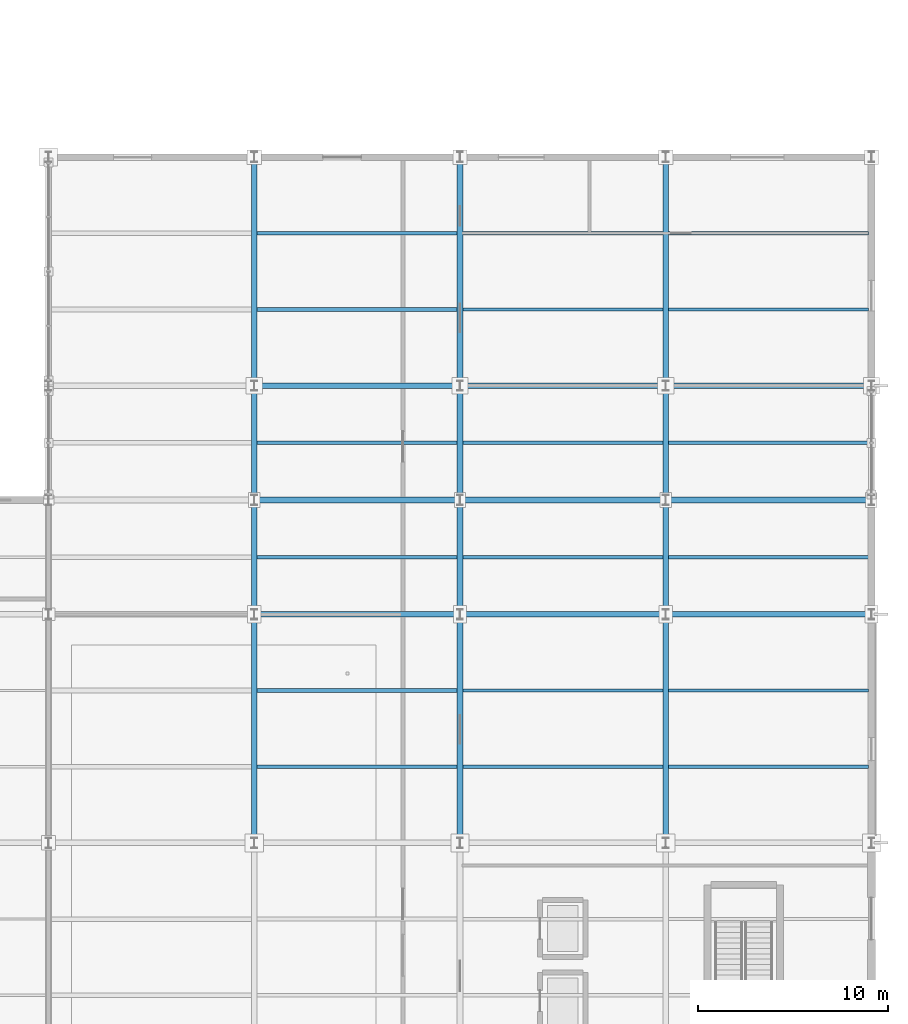
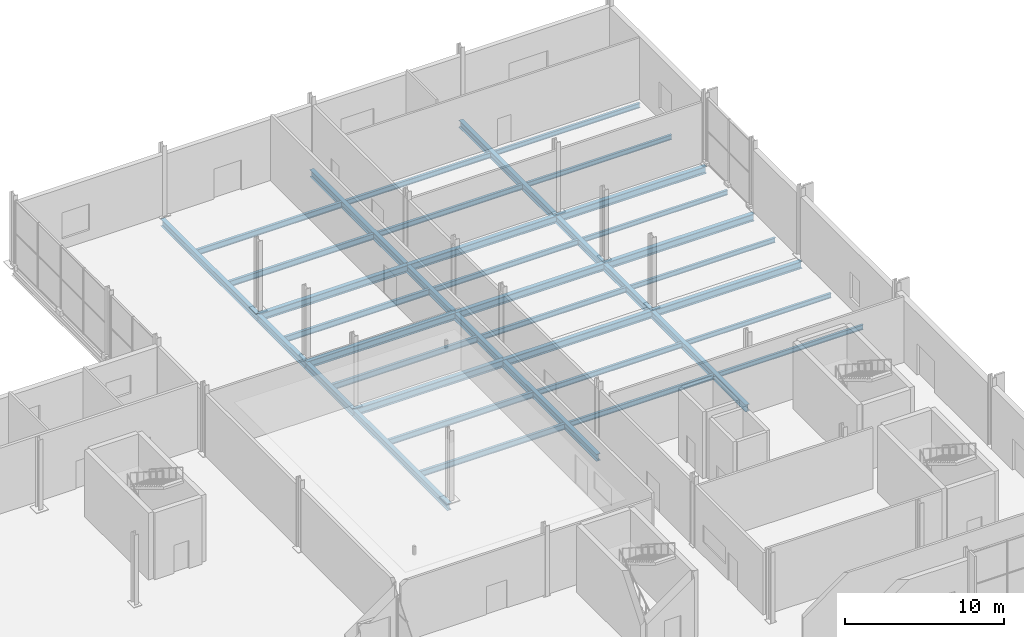
# One storey, part 140 of 196: 39 beams.
"""IFC4 building model written with IfcOpenShell, lengths in metres."""

from ifc_helpers import new_model, si_unit, direction, frame, origin, origin_2d, place, context, subcontext, project, spatial, i_section, extrude, material, material_profile, profile_set, type_object, element, save


model = new_model("IFC4")

# Units and contexts
model_context = context("Model", 3, precision=1e-05, world=origin(), true_north=direction((0.0, 1.0)))
body_context = subcontext(model_context, "Body", "Model", "MODEL_VIEW")
ifc_project = project(units=[si_unit("LENGTHUNIT", "METRE"), si_unit("AREAUNIT", "SQUARE_METRE"), si_unit("VOLUMEUNIT", "CUBIC_METRE"), si_unit("PLANEANGLEUNIT", "RADIAN"), si_unit("MASSUNIT", "GRAM", prefix="KILO")], contexts=[model_context])

# Site, building, storey
site_placement = place(None, origin())
site = spatial("IfcSite", under=ifc_project, at=site_placement, CompositionType="ELEMENT")
building_placement = place(site_placement, origin())
building = spatial("IfcBuilding", under=site, at=building_placement, Name="Merenkruunu Market Hall", CompositionType="ELEMENT")
storey_placement = place(building_placement, origin())
storey = spatial("IfcBuildingStorey", under=building, at=storey_placement, Name="L00", CompositionType="ELEMENT", Elevation=0.0)

# Beams
ifc_material = material(Name="Steel S355J2", Category="steel")
ifc_material_profile_1 = material_profile(ifc_material, i_section(OverallWidth=0.300048828125, OverallDepth=0.550048828125, WebThickness=0.014892578125, FlangeThickness=0.029052734375, FilletRadius=0.027099609375, at=origin_2d()), Name="HEB 550")
ifc_profile_set_1 = profile_set([ifc_material_profile_1], Name="Steel S355J2")
beam_type_1 = type_object("IfcBeamType", Name="Primary Floor Girder B02", PredefinedType="BEAM", material=ifc_profile_set_1)
beam_1_placement = place(storey_placement, frame((159.60009765625, 39.60009765625, -0.574951171875), z_axis=(1.0, 0.0, 0.0), x_axis=(0.0, 1.0, 0.0)))
element("IfcBeam", 1, at=beam_1_placement, inside=storey, type_object=beam_type_1, Name="BM-L00-B02-0060", PredefinedType="BEAM", context=body_context, shape_type="SweptSolid", body=[
    extrude(i_section(OverallWidth=0.300048828125, OverallDepth=0.550048828125, WebThickness=0.014892578125, FlangeThickness=0.029052734375, FilletRadius=0.027099609375, at=origin_2d()), origin(), (0.0, 0.0, 1.0), 10.7998046875),
])
for number, where, z_axis, x_axis, name in (
    (2, (170.39990234375, 39.60009765625, -0.574951171875), (1.0, 0.0, 0.0), (0.0, 1.0, 0.0), "BM-L00-B02-0061"),
    (3, (181.199951171875, 39.60009765625, -0.574951171875), (1.0, 0.0, 0.0), (0.0, 1.0, 0.0), "BM-L00-B02-0062"),
):
    element("IfcBeam", number, at=place(storey_placement, frame(where, z_axis=z_axis, x_axis=x_axis)), inside=storey, type_object=beam_type_1, Name=name, PredefinedType="BEAM", context=body_context, shape_type="SweptSolid", body=[
        extrude(i_section(OverallWidth=0.300048828125, OverallDepth=0.550048828125, WebThickness=0.014892578125, FlangeThickness=0.029052734375, FilletRadius=0.027099609375, at=origin_2d()), origin(), (0.0, 0.0, 1.0), 10.800048828125),
    ])
beam_2_placement = place(storey_placement, frame((159.60009765625, 45.60009765625, -0.574951171875), z_axis=(1.0, 0.0, 0.0), x_axis=(0.0, 1.0, 0.0)))
element("IfcBeam", 4, at=beam_2_placement, inside=storey, type_object=beam_type_1, Name="BM-L00-B02-0078", PredefinedType="BEAM", context=body_context, shape_type="SweptSolid", body=[
    extrude(i_section(OverallWidth=0.300048828125, OverallDepth=0.550048828125, WebThickness=0.014892578125, FlangeThickness=0.029052734375, FilletRadius=0.027099609375, at=origin_2d()), origin(), (0.0, 0.0, 1.0), 10.7998046875),
])
for number, where, z_axis, x_axis, name in (
    (5, (170.39990234375, 45.60009765625, -0.574951171875), (1.0, 0.0, 0.0), (0.0, 1.0, 0.0), "BM-L00-B02-0079"),
    (6, (181.199951171875, 45.60009765625, -0.574951171875), (1.0, 0.0, 0.0), (0.0, 1.0, 0.0), "BM-L00-B02-0080"),
):
    element("IfcBeam", number, at=place(storey_placement, frame(where, z_axis=z_axis, x_axis=x_axis)), inside=storey, type_object=beam_type_1, Name=name, PredefinedType="BEAM", context=body_context, shape_type="SweptSolid", body=[
        extrude(i_section(OverallWidth=0.300048828125, OverallDepth=0.550048828125, WebThickness=0.014892578125, FlangeThickness=0.029052734375, FilletRadius=0.027099609375, at=origin_2d()), origin(), (0.0, 0.0, 1.0), 10.800048828125),
    ])
beam_3_placement = place(storey_placement, frame((159.60009765625, 51.60009765625, -0.574951171875), z_axis=(1.0, 0.0, 0.0), x_axis=(0.0, 1.0, 0.0)))
element("IfcBeam", 7, at=beam_3_placement, inside=storey, type_object=beam_type_1, Name="BM-L00-B02-0084", PredefinedType="BEAM", context=body_context, shape_type="SweptSolid", body=[
    extrude(i_section(OverallWidth=0.300048828125, OverallDepth=0.550048828125, WebThickness=0.014892578125, FlangeThickness=0.029052734375, FilletRadius=0.027099609375, at=origin_2d()), origin(), (0.0, 0.0, 1.0), 10.7998046875),
])
for number, where, z_axis, x_axis, name in (
    (8, (170.39990234375, 51.60009765625, -0.574951171875), (1.0, 0.0, 0.0), (0.0, 1.0, 0.0), "BM-L00-B02-0085"),
    (9, (181.199951171875, 51.60009765625, -0.574951171875), (1.0, 0.0, 0.0), (0.0, 1.0, 0.0), "BM-L00-B02-0086"),
):
    element("IfcBeam", number, at=place(storey_placement, frame(where, z_axis=z_axis, x_axis=x_axis)), inside=storey, type_object=beam_type_1, Name=name, PredefinedType="BEAM", context=body_context, shape_type="SweptSolid", body=[
        extrude(i_section(OverallWidth=0.300048828125, OverallDepth=0.550048828125, WebThickness=0.014892578125, FlangeThickness=0.029052734375, FilletRadius=0.027099609375, at=origin_2d()), origin(), (0.0, 0.0, 1.0), 10.800048828125),
    ])
ifc_material_profile_2 = material_profile(ifc_material, i_section(OverallWidth=0.300048828125, OverallDepth=0.5400390625, WebThickness=0.012451171875, FlangeThickness=0.02392578125, FilletRadius=0.027099609375, at=origin_2d()), Name="HEA 550")
ifc_profile_set_2 = profile_set([ifc_material_profile_2], Name="Steel S355J2")
beam_type_2 = type_object("IfcBeamType", Name="Primary Floor Girder B06", PredefinedType="BEAM", material=ifc_profile_set_2)
beam_4_placement = place(storey_placement, frame((159.60009765625, 27.60009765625, -0.570068359375), z_axis=(0.0, 1.0, 0.0), x_axis=(-1.0, 0.0, 0.0)))
element("IfcBeam", 10, at=beam_4_placement, inside=storey, type_object=beam_type_2, Name="BM-L00-B06-0249", PredefinedType="BEAM", context=body_context, shape_type="SweptSolid", body=[
    extrude(i_section(OverallWidth=0.300048828125, OverallDepth=0.5400390625, WebThickness=0.012451171875, FlangeThickness=0.02392578125, FilletRadius=0.027099609375, at=origin_2d()), origin(), (0.0, 0.0, 1.0), 12.0),
])
for number, where, z_axis, x_axis, name in (
    (11, (159.60009765625, 39.60009765625, -0.570068359375), (0.0, 1.0, 0.0), (-1.0, 0.0, 0.0), "BM-L00-B06-0250"),
    (12, (159.60009765625, 45.60009765625, -0.570068359375), (0.0, 1.0, 0.0), (-1.0, 0.0, 0.0), "BM-L00-B06-0251"),
):
    element("IfcBeam", number, at=place(storey_placement, frame(where, z_axis=z_axis, x_axis=x_axis)), inside=storey, type_object=beam_type_2, Name=name, PredefinedType="BEAM", context=body_context, shape_type="SweptSolid", body=[
        extrude(i_section(OverallWidth=0.300048828125, OverallDepth=0.5400390625, WebThickness=0.012451171875, FlangeThickness=0.02392578125, FilletRadius=0.027099609375, at=origin_2d()), origin(), (0.0, 0.0, 1.0), 6.0),
    ])
for number, where, z_axis, x_axis, name in (
    (13, (159.60009765625, 51.60009765625, -0.570068359375), (0.0, 1.0, 0.0), (-1.0, 0.0, 0.0), "BM-L00-B06-0252"),
    (14, (170.39990234375, 27.60009765625, -0.570068359375), (0.0, 1.0, 0.0), (-1.0, 0.0, 0.0), "BM-L00-B06-0256"),
):
    element("IfcBeam", number, at=place(storey_placement, frame(where, z_axis=z_axis, x_axis=x_axis)), inside=storey, type_object=beam_type_2, Name=name, PredefinedType="BEAM", context=body_context, shape_type="SweptSolid", body=[
        extrude(i_section(OverallWidth=0.300048828125, OverallDepth=0.5400390625, WebThickness=0.012451171875, FlangeThickness=0.02392578125, FilletRadius=0.027099609375, at=origin_2d()), origin(), (0.0, 0.0, 1.0), 12.0),
    ])
for number, where, z_axis, x_axis, name in (
    (15, (170.39990234375, 39.60009765625, -0.570068359375), (0.0, 1.0, 0.0), (-1.0, 0.0, 0.0), "BM-L00-B06-0257"),
    (16, (170.39990234375, 45.60009765625, -0.570068359375), (0.0, 1.0, 0.0), (-1.0, 0.0, 0.0), "BM-L00-B06-0258"),
):
    element("IfcBeam", number, at=place(storey_placement, frame(where, z_axis=z_axis, x_axis=x_axis)), inside=storey, type_object=beam_type_2, Name=name, PredefinedType="BEAM", context=body_context, shape_type="SweptSolid", body=[
        extrude(i_section(OverallWidth=0.300048828125, OverallDepth=0.5400390625, WebThickness=0.012451171875, FlangeThickness=0.02392578125, FilletRadius=0.027099609375, at=origin_2d()), origin(), (0.0, 0.0, 1.0), 6.0),
    ])
for number, where, z_axis, x_axis, name in (
    (17, (170.39990234375, 51.60009765625, -0.570068359375), (0.0, 1.0, 0.0), (-1.0, 0.0, 0.0), "BM-L00-B06-0259"),
    (18, (181.199951171875, 27.60009765625, -0.570068359375), (0.0, 1.0, 0.0), (-1.0, 0.0, 0.0), "BM-L00-B06-0263"),
):
    element("IfcBeam", number, at=place(storey_placement, frame(where, z_axis=z_axis, x_axis=x_axis)), inside=storey, type_object=beam_type_2, Name=name, PredefinedType="BEAM", context=body_context, shape_type="SweptSolid", body=[
        extrude(i_section(OverallWidth=0.300048828125, OverallDepth=0.5400390625, WebThickness=0.012451171875, FlangeThickness=0.02392578125, FilletRadius=0.027099609375, at=origin_2d()), origin(), (0.0, 0.0, 1.0), 12.0),
    ])
for number, where, z_axis, x_axis, name in (
    (19, (181.199951171875, 39.60009765625, -0.570068359375), (0.0, 1.0, 0.0), (-1.0, 0.0, 0.0), "BM-L00-B06-0264"),
    (20, (181.199951171875, 45.60009765625, -0.570068359375), (0.0, 1.0, 0.0), (-1.0, 0.0, 0.0), "BM-L00-B06-0265"),
):
    element("IfcBeam", number, at=place(storey_placement, frame(where, z_axis=z_axis, x_axis=x_axis)), inside=storey, type_object=beam_type_2, Name=name, PredefinedType="BEAM", context=body_context, shape_type="SweptSolid", body=[
        extrude(i_section(OverallWidth=0.300048828125, OverallDepth=0.5400390625, WebThickness=0.012451171875, FlangeThickness=0.02392578125, FilletRadius=0.027099609375, at=origin_2d()), origin(), (0.0, 0.0, 1.0), 6.0),
    ])
beam_5_placement = place(storey_placement, frame((181.199951171875, 51.60009765625, -0.570068359375), z_axis=(0.0, 1.0, 0.0), x_axis=(-1.0, 0.0, 0.0)))
element("IfcBeam", 21, at=beam_5_placement, inside=storey, type_object=beam_type_2, Name="BM-L00-B06-0266", PredefinedType="BEAM", context=body_context, shape_type="SweptSolid", body=[
    extrude(i_section(OverallWidth=0.300048828125, OverallDepth=0.5400390625, WebThickness=0.012451171875, FlangeThickness=0.02392578125, FilletRadius=0.027099609375, at=origin_2d()), origin(), (0.0, 0.0, 1.0), 12.0),
])
ifc_material_profile_3 = material_profile(ifc_material, i_section(OverallWidth=0.18994140625, OverallDepth=0.449951171875, WebThickness=0.009521484375, FlangeThickness=0.0146484375, FilletRadius=0.02099609375, at=origin_2d()), Name="IPE 450")
ifc_profile_set_3 = profile_set([ifc_material_profile_3], Name="Steel S355J2")
beam_type_3 = type_object("IfcBeamType", Name="Secondary Floor Joist J01", PredefinedType="JOIST", material=ifc_profile_set_3)
for number, where, z_axis, x_axis, name in (
    (22, (159.7529296875, 31.60009765625, -0.52490234375), (1.0, 0.0, 0.0), (0.0, 1.0, 0.0), "BM-L00-J01-0438"),
    (23, (159.7529296875, 35.60009765625, -0.52490234375), (1.0, 0.0, 0.0), (0.0, 1.0, 0.0), "BM-L00-J01-0439"),
    (24, (159.7529296875, 42.60009765625, -0.52490234375), (1.0, 0.0, 0.0), (0.0, 1.0, 0.0), "BM-L00-J01-0440"),
    (25, (159.7529296875, 48.60009765625, -0.52490234375), (1.0, 0.0, 0.0), (0.0, 1.0, 0.0), "BM-L00-J01-0441"),
    (26, (159.7529296875, 55.60009765625, -0.52490234375), (1.0, 0.0, 0.0), (0.0, 1.0, 0.0), "BM-L00-J01-0442"),
    (27, (159.7529296875, 59.60009765625, -0.52490234375), (1.0, 0.0, 0.0), (0.0, 1.0, 0.0), "BM-L00-J01-0443"),
):
    element("IfcBeam", number, at=place(storey_placement, frame(where, z_axis=z_axis, x_axis=x_axis)), inside=storey, type_object=beam_type_3, Name=name, PredefinedType="JOIST", context=body_context, shape_type="SweptSolid", body=[
        extrude(i_section(OverallWidth=0.18994140625, OverallDepth=0.449951171875, WebThickness=0.009521484375, FlangeThickness=0.0146484375, FilletRadius=0.02099609375, at=origin_2d()), origin(), (0.0, 0.0, 1.0), 10.494140625),
    ])
ifc_material_profile_4 = material_profile(ifc_material, i_section(OverallWidth=0.179931640625, OverallDepth=0.39990234375, WebThickness=0.008544921875, FlangeThickness=0.013427734375, FilletRadius=0.02099609375, at=origin_2d()), Name="IPE 400")
ifc_profile_set_4 = profile_set([ifc_material_profile_4], Name="Steel S355J2")
beam_type_4 = type_object("IfcBeamType", Name="Secondary Floor Joist J02", PredefinedType="JOIST", material=ifc_profile_set_4)
for number, where, z_axis, x_axis, name in (
    (28, (170.552978515625, 31.60009765625, -0.5), (1.0, 0.0, 0.0), (0.0, 1.0, 0.0), "BM-L00-J02-0449"),
    (29, (170.552978515625, 35.60009765625, -0.5), (1.0, 0.0, 0.0), (0.0, 1.0, 0.0), "BM-L00-J02-0450"),
    (30, (170.552978515625, 42.60009765625, -0.5), (1.0, 0.0, 0.0), (0.0, 1.0, 0.0), "BM-L00-J02-0451"),
    (31, (170.552978515625, 48.60009765625, -0.5), (1.0, 0.0, 0.0), (0.0, 1.0, 0.0), "BM-L00-J02-0452"),
    (32, (170.552978515625, 55.60009765625, -0.5), (1.0, 0.0, 0.0), (0.0, 1.0, 0.0), "BM-L00-J02-0453"),
    (33, (170.552978515625, 59.60009765625, -0.5), (1.0, 0.0, 0.0), (0.0, 1.0, 0.0), "BM-L00-J02-0454"),
):
    element("IfcBeam", number, at=place(storey_placement, frame(where, z_axis=z_axis, x_axis=x_axis)), inside=storey, type_object=beam_type_4, Name=name, PredefinedType="JOIST", context=body_context, shape_type="SweptSolid", body=[
        extrude(i_section(OverallWidth=0.179931640625, OverallDepth=0.39990234375, WebThickness=0.008544921875, FlangeThickness=0.013427734375, FilletRadius=0.02099609375, at=origin_2d()), origin(), (0.0, 0.0, 1.0), 10.494140625),
    ])
ifc_material_profile_5 = material_profile(ifc_material, i_section(OverallWidth=0.169921875, OverallDepth=0.360107421875, WebThickness=0.008056640625, FlangeThickness=0.0126953125, FilletRadius=0.01806640625, at=origin_2d()), Name="IPE 360")
ifc_profile_set_5 = profile_set([ifc_material_profile_5], Name="Steel S355J2")
beam_type_5 = type_object("IfcBeamType", Name="Secondary Floor Joist J03", PredefinedType="JOIST", material=ifc_profile_set_5)
for number, where, z_axis, x_axis, name in (
    (34, (181.35302734375, 31.60009765625, -0.47998046875), (1.0, 0.0, 0.0), (0.0, 1.0, 0.0), "BM-L00-J03-0460"),
    (35, (181.35302734375, 35.60009765625, -0.47998046875), (1.0, 0.0, 0.0), (0.0, 1.0, 0.0), "BM-L00-J03-0461"),
    (36, (181.35302734375, 42.60009765625, -0.47998046875), (1.0, 0.0, 0.0), (0.0, 1.0, 0.0), "BM-L00-J03-0462"),
    (37, (181.35302734375, 48.60009765625, -0.47998046875), (1.0, 0.0, 0.0), (0.0, 1.0, 0.0), "BM-L00-J03-0463"),
    (38, (181.35302734375, 55.60009765625, -0.47998046875), (1.0, 0.0, 0.0), (0.0, 1.0, 0.0), "BM-L00-J03-0464"),
    (39, (181.35302734375, 59.60009765625, -0.47998046875), (1.0, 0.0, 0.0), (0.0, 1.0, 0.0), "BM-L00-J03-0465"),
):
    element("IfcBeam", number, at=place(storey_placement, frame(where, z_axis=z_axis, x_axis=x_axis)), inside=storey, type_object=beam_type_5, Name=name, PredefinedType="JOIST", context=body_context, shape_type="SweptSolid", body=[
        extrude(i_section(OverallWidth=0.169921875, OverallDepth=0.360107421875, WebThickness=0.008056640625, FlangeThickness=0.0126953125, FilletRadius=0.01806640625, at=origin_2d()), origin(), (0.0, 0.0, 1.0), 10.493896484375),
    ])

save(model, "model.ifc")
